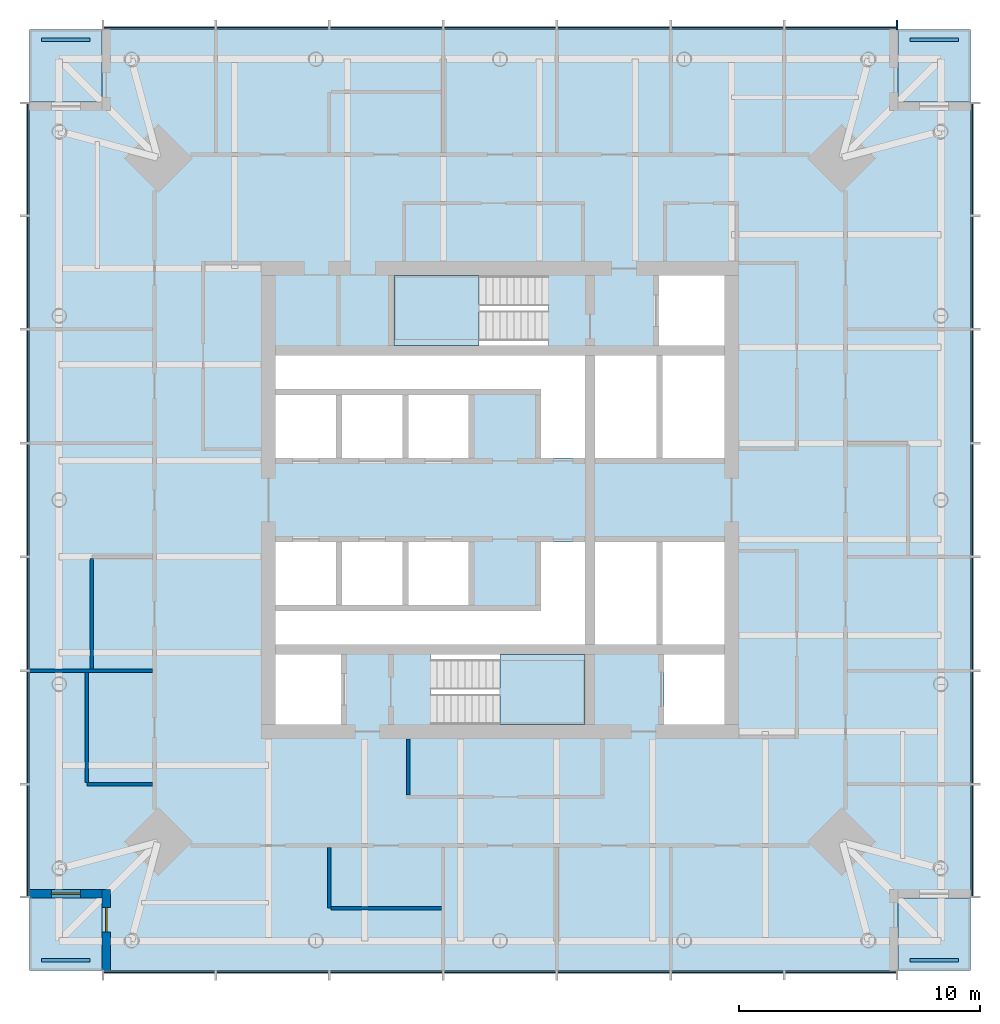
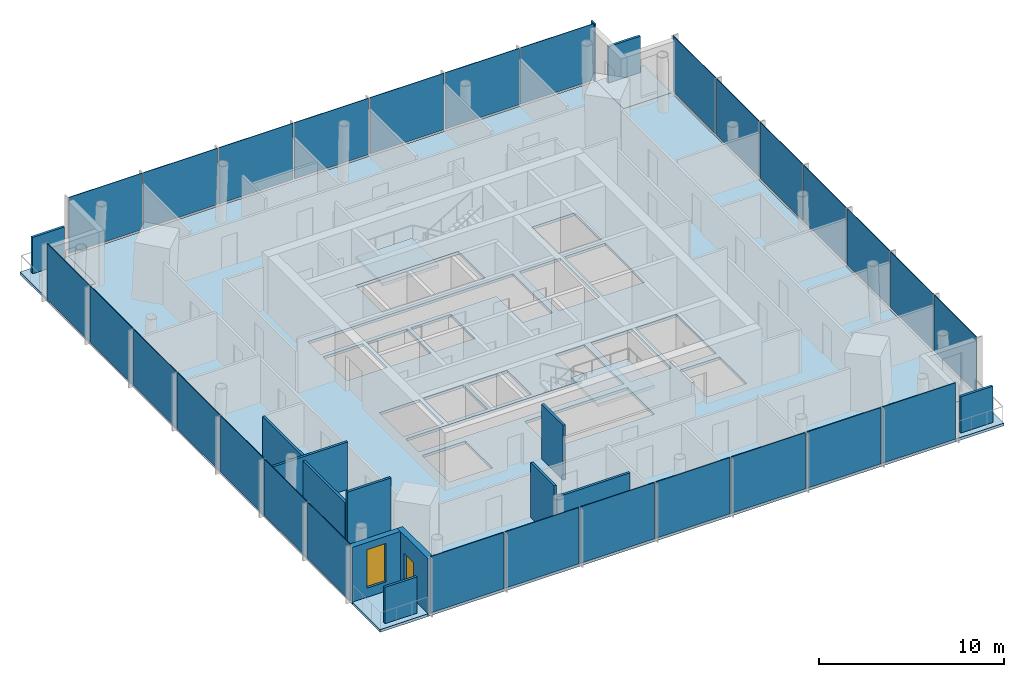
# One storey, part 3 of 7: 32 plates, 9 walls, 7 slabs, 1 door, 1 member, 1 window, 2 openings, 6 elements without a shape of their own.
"""IFC4 building model written with IfcOpenShell, lengths in metres."""

import ifcopenshell
import ifcopenshell.guid

model = None  # the IFC model being written
_history = None  # IfcOwnerHistory: only IFC2X3 demands one
_inside = {}  # id of a spatial element -> (the spatial element, [elements in it])
_under = {}  # id of a project, library or spatial element -> (it, [spatial elements below it])
_declared = {}  # id of a project -> (the project, [libraries it declares])
_typed = {}  # id of a type object -> (the type object, [elements of that type])
_made_of = {}  # id of a material, layer set ... -> (it, [elements and type objects made of it])


def new_model(schema):
    """Start an empty IFC model of exactly this schema.

    Asked for "IFC4X3", IfcOpenShell would pick the latest addendum, in which some entities
    have other attributes; the version numbers below select the first issue.
    IFC2X3 requires an IfcOwnerHistory on every rooted entity: one is made here for all.
    """
    global model, _history
    if schema == "IFC4X3":
        model = ifcopenshell.file(schema_version=(4, 3, 0, 0))
    else:
        model = ifcopenshell.file(schema=schema)
    _inside.clear()
    _under.clear()
    _declared.clear()
    _typed.clear()
    _made_of.clear()
    _history = None
    if model.schema == "IFC2X3":
        org = make("IfcOrganization", Name="unknown")
        user = make(
            "IfcPersonAndOrganization",
            ThePerson=make("IfcPerson", FamilyName="unknown"),
            TheOrganization=org,
        )
        app = make(
            "IfcApplication",
            ApplicationDeveloper=org,
            Version="unknown",
            ApplicationFullName="unknown",
            ApplicationIdentifier="unknown",
        )
        _history = make(
            "IfcOwnerHistory",
            OwningUser=user,
            OwningApplication=app,
            ChangeAction="ADDED",
            CreationDate=0,
        )
    return model


def make(cls, **values):
    """One entity of the class cls with the attributes given. An attribute that is None is left unset."""
    return model.create_entity(
        cls, **{name: value for name, value in values.items() if value is not None}
    )


def rooted(cls, **values):
    """An entity with a GlobalId (a new one), such as an element, a storey or a relation."""
    return make(cls, GlobalId=ifcopenshell.guid.new(), OwnerHistory=_history, **values)


def si_unit(unit_type, name, prefix=None):
    """IfcSIUnit, for example si_unit("LENGTHUNIT", "METRE", prefix="MILLI")."""
    return make("IfcSIUnit", UnitType=unit_type, Prefix=prefix, Name=name)


def assignment(units):
    """IfcUnitAssignment: the units of a project."""
    return None if units is None else make("IfcUnitAssignment", Units=units)


def point(xyz):
    """IfcCartesianPoint."""
    return None if xyz is None else make("IfcCartesianPoint", Coordinates=xyz)


def direction(xyz):
    """IfcDirection."""
    return None if xyz is None else make("IfcDirection", DirectionRatios=xyz)


def frame(location, z_axis=None, x_axis=None):
    """IfcAxis2Placement3D, a coordinate frame: its origin and axes. An axis left out is left unset."""
    return make(
        "IfcAxis2Placement3D",
        Location=point(location),
        Axis=direction(z_axis),
        RefDirection=direction(x_axis),
    )


def frame_2d(location, x_axis=None):
    """IfcAxis2Placement2D, a coordinate frame in the plane: its origin and x axis."""
    return make(
        "IfcAxis2Placement2D", Location=point(location), RefDirection=direction(x_axis)
    )


def origin():
    """The frame at (0, 0, 0) with its axes left unset."""
    return frame((0.0, 0.0, 0.0))


def origin_2d():
    """The frame at (0, 0) in the plane with its x axis left unset."""
    return frame_2d((0.0, 0.0))


def place(relative_to, where):
    """IfcLocalPlacement: puts the frame where relative to a parent placement (None: the world)."""
    return make(
        "IfcLocalPlacement", PlacementRelTo=relative_to, RelativePlacement=where
    )


def context(
    kind, dimensions, precision=None, world=None, true_north=None, identifier=None
):
    """IfcGeometricRepresentationContext, for example the 3D "Model" context."""
    return make(
        "IfcGeometricRepresentationContext",
        ContextIdentifier=identifier,
        ContextType=kind,
        CoordinateSpaceDimension=dimensions,
        Precision=precision,
        WorldCoordinateSystem=world,
        TrueNorth=true_north,
    )


def subcontext(parent, identifier, kind, view, scale=None):
    """IfcGeometricRepresentationSubContext, for example "Body" below "Model"."""
    return make(
        "IfcGeometricRepresentationSubContext",
        ContextIdentifier=identifier,
        ContextType=kind,
        ParentContext=parent,
        TargetScale=scale,
        TargetView=view,
    )


def project(units=None, contexts=None):
    """IfcProject with its units and contexts."""
    return rooted(
        "IfcProject",
        Name="project",
        RepresentationContexts=contexts,
        UnitsInContext=assignment(units),
    )


def spatial(cls, under=None, at=None, **own):
    """A site, building, storey or space (cls), placed at a placement, below another one or the project."""
    s = rooted(cls, ObjectPlacement=at, **own)
    if under is not None:
        _under.setdefault(under.id(), (under, []))[1].append(s)
    return s


def polyline(points):
    """IfcPolyline through the points."""
    return make("IfcPolyline", Points=[point(p) for p in points])


def profile(cls, at=None, kind="AREA", **sizes):
    """A parametric profile (cls). Its sizes go by their IFC names, for example OverallWidth=200.0."""
    return make(cls, ProfileType=kind, Position=at, **sizes)


def rectangle(**sizes):
    """IfcRectangleProfileDef."""
    return profile("IfcRectangleProfileDef", **sizes)


def outline(outer, holes=None, kind="AREA"):
    """IfcArbitraryClosedProfileDef: a profile drawn as a closed curve; with holes, ...WithVoids."""
    if holes is None:
        return make("IfcArbitraryClosedProfileDef", ProfileType=kind, OuterCurve=outer)
    return make(
        "IfcArbitraryProfileDefWithVoids",
        ProfileType=kind,
        OuterCurve=outer,
        InnerCurves=holes,
    )


def extrude(swept, where, along, depth):
    """IfcExtrudedAreaSolid: the profile swept, set in the frame where, extruded along a direction by depth."""
    return make(
        "IfcExtrudedAreaSolid",
        SweptArea=swept,
        Position=where,
        ExtrudedDirection=direction(along),
        Depth=depth,
    )


def shape(context_of_items, identifier, shape_type, items):
    """IfcShapeRepresentation: the items that make up one representation, for example the "Body"."""
    return make(
        "IfcShapeRepresentation",
        ContextOfItems=context_of_items,
        RepresentationIdentifier=identifier,
        RepresentationType=shape_type,
        Items=items,
    )


def material(Name=None, Category=None):
    """IfcMaterial."""
    return make("IfcMaterial", Name=Name, Category=Category)


def layer(
    of_material, thickness, ventilated=None, Name=None, Category=None, Priority=None
):
    """IfcMaterialLayer: one layer of a wall or slab, of a material (None: an air gap)."""
    return make(
        "IfcMaterialLayer",
        Material=of_material,
        LayerThickness=thickness,
        IsVentilated=ventilated,
        Name=Name,
        Category=Category,
        Priority=Priority,
    )


def layer_set(layers, Name=None):
    """IfcMaterialLayerSet."""
    return make("IfcMaterialLayerSet", MaterialLayers=layers, LayerSetName=Name)


def material_profile(
    of_material, cross_section, Name=None, Category=None, Priority=None
):
    """IfcMaterialProfile: a cross section and its material."""
    return make(
        "IfcMaterialProfile",
        Name=Name,
        Material=of_material,
        Profile=cross_section,
        Priority=Priority,
        Category=Category,
    )


def profile_set(profiles, Name=None, composite=None):
    """IfcMaterialProfileSet."""
    return make(
        "IfcMaterialProfileSet",
        Name=Name,
        MaterialProfiles=profiles,
        CompositeProfile=composite,
    )


def made_of(thing, what):
    """Note that an element or type object is made of a material, layer set ...; save() writes the relation."""
    if what is not None:
        _made_of.setdefault(what.id(), (what, []))[1].append(thing)
    return thing


def type_object(cls, material=None, **own):
    """A type object (cls), such as IfcWallType, which elements share."""
    return made_of(rooted(cls, **own), material)


def element(
    cls,
    number,
    at=None,
    inside=None,
    cuts=None,
    type_object=None,
    material=None,
    context=None,
    identifier="Body",
    shape_type=None,
    held_by="IfcProductDefinitionShape",
    body=None,
    shapes=None,
    **own,
):
    """One element of the class cls, such as IfcWall. Its Tag is "e" and its number.

    at: its placement. inside: the storey or other place that contains it. cuts: it is an
    opening in that element (IfcRelVoidsElement). A single representation is given by context,
    identifier, shape_type and body (its items); several are given by shapes. held_by: the class
    of the entity that holds the representations. save() writes the other relations.
    """
    e = rooted(cls, Tag="e%d" % number, ObjectPlacement=at, **own)
    if body is not None:
        shapes = [shape(context, identifier, shape_type, body)]
    if shapes is not None:
        e.Representation = make(held_by, Representations=shapes)
    if inside is not None:
        _inside.setdefault(inside.id(), (inside, []))[1].append(e)
    if cuts is not None:
        rooted(
            "IfcRelVoidsElement", RelatingBuildingElement=cuts, RelatedOpeningElement=e
        )
    if type_object is not None:
        _typed.setdefault(type_object.id(), (type_object, []))[1].append(e)
    return made_of(e, material)


def fill(opening, filler):
    """IfcRelFillsElement: the door or window that sits in an opening."""
    return rooted(
        "IfcRelFillsElement",
        RelatingOpeningElement=opening,
        RelatedBuildingElement=filler,
    )


def aggregate(whole, parts):
    """IfcRelAggregates: a whole, such as a stair, and the parts it consists of."""
    return rooted("IfcRelAggregates", RelatingObject=whole, RelatedObjects=parts)


def save(model, path):
    """Write the relations noted so far, then the file.

    IfcRelAggregates (storeys below a building ...), IfcRelContainedInSpatialStructure (elements
    in a storey), IfcRelDefinesByType, IfcRelAssociatesMaterial and IfcRelDeclares: one each for
    every whole, place, type object, material and project.
    """
    for whole, parts in _under.values():
        aggregate(whole, parts)
    for where, things in _inside.values():
        rooted(
            "IfcRelContainedInSpatialStructure",
            RelatedElements=things,
            RelatingStructure=where,
        )
    for kind, things in _typed.values():
        rooted("IfcRelDefinesByType", RelatedObjects=things, RelatingType=kind)
    for what, things in _made_of.values():
        rooted("IfcRelAssociatesMaterial", RelatedObjects=things, RelatingMaterial=what)
    for by, libraries in _declared.values():
        rooted("IfcRelDeclares", RelatingContext=by, RelatedDefinitions=libraries)
    model.write(path)


model = new_model("IFC4")

# Units and contexts
model_context = context("Model", 3, precision=1e-05, world=origin(), true_north=direction((0.0, 1.0)))
body_context = subcontext(model_context, "Body", "Model", "MODEL_VIEW")
ifc_project = project(units=[si_unit("LENGTHUNIT", "METRE"), si_unit("AREAUNIT", "SQUARE_METRE"), si_unit("VOLUMEUNIT", "CUBIC_METRE"), si_unit("PLANEANGLEUNIT", "RADIAN"), si_unit("MASSUNIT", "GRAM", prefix="KILO")], contexts=[model_context])

# Site, building, storey
site_placement = place(None, origin())
site = spatial("IfcSite", under=ifc_project, at=site_placement, CompositionType="ELEMENT")
building_placement = place(site_placement, origin())
building = spatial("IfcBuilding", under=site, at=building_placement, Name="Ostroluk Exchange", CompositionType="ELEMENT")
storey_placement = place(building_placement, frame((0.0, 0.0, 199.60009765625)))
storey = spatial("IfcBuildingStorey", under=building, at=storey_placement, Name="L51", CompositionType="ELEMENT", Elevation=199.60009765625)

# Curtain wall, member
ifc_material_1 = material(Name="Laminated clear glass", Category="glass")
curtain_wall_type = type_object("IfcCurtainWallType", Name="Office tower facade", PredefinedType="USERDEFINED", material=ifc_material_1)
curtain_wall_1_placement = place(storey_placement, origin())
curtain_wall_1 = element("IfcCurtainWall", 1, at=curtain_wall_1_placement, inside=storey, type_object=curtain_wall_type, Name="Office tower north facade L51", ObjectType="UNITISED CURTAIN WALL", PredefinedType="USERDEFINED")
ifc_material_2 = material(Name="Aluminium mullion with limestone facing", Category="masonry")
ifc_material_profile = material_profile(ifc_material_2, rectangle(XDim=0.39990234375, YDim=0.080078125, at=origin_2d()), Name="Tracery mullion 80 x 400")
ifc_profile_set = profile_set([ifc_material_profile], Name="Aluminium mullion with limestone facing")
member_type = type_object("IfcMemberType", Name="Tracery mullion 80 x 400", PredefinedType="MULLION", material=ifc_profile_set)
member_placement = place(storey_placement, frame((61.4599609375, 65.699951171875, 0.0), z_axis=(0.0, 0.0, 1.0), x_axis=(0.0, -1.0, 0.0)))
member = element("IfcMember", 2, at=member_placement, type_object=member_type, Name="CW-O1 mullion 1", PredefinedType="MULLION", context=body_context, shape_type="SweptSolid", body=[
    extrude(rectangle(XDim=0.39990234375, YDim=0.080078125, at=origin_2d()), origin(), (0.0, 0.0, 1.0), 3.7998046875),
])

# Slabs
ifc_material_3 = material(Name="Concrete C35/45", Category="concrete")
ifc_layer_1 = layer(ifc_material_3, 0.179931640625)
ifc_layer_set_1 = layer_set([ifc_layer_1], Name="Balcony slab 180")
slab_type_1 = type_object("IfcSlabType", Name="Balcony slab 180", PredefinedType="USERDEFINED", material=ifc_layer_set_1)
slab_1_placement = place(storey_placement, frame((0.0, 0.0, -0.18017578125)))
element("IfcSlab", 3, at=slab_1_placement, inside=storey, type_object=slab_type_1, Name="Office tower SE corner balcony L51", ObjectType="BALCONY", PredefinedType="USERDEFINED", context=body_context, shape_type="SweptSolid", body=[
    extrude(outline(polyline([(61.5, 26.5), (64.5, 26.5), (64.5, 29.5), (61.5, 29.5), (61.5, 26.5)])), origin(), (0.0, 0.0, 1.0), 0.18017578125),
])
slab_2_placement = place(storey_placement, frame((0.0, 0.0, -0.18017578125)))
element("IfcSlab", 4, at=slab_2_placement, inside=storey, type_object=slab_type_1, Name="Office tower NE corner balcony L51", ObjectType="BALCONY", PredefinedType="USERDEFINED", context=body_context, shape_type="SweptSolid", body=[
    extrude(outline(polyline([(61.5, 62.5), (64.5, 62.5), (64.5, 65.5), (61.5, 65.5), (61.5, 62.5)])), origin(), (0.0, 0.0, 1.0), 0.18017578125),
])
slab_3_placement = place(storey_placement, frame((0.0, 0.0, -0.18017578125)))
element("IfcSlab", 5, at=slab_3_placement, inside=storey, type_object=slab_type_1, Name="Office tower NW corner balcony L51", ObjectType="BALCONY", PredefinedType="USERDEFINED", context=body_context, shape_type="SweptSolid", body=[
    extrude(outline(polyline([(25.5, 62.5), (28.5, 62.5), (28.5, 65.5), (25.5, 65.5), (25.5, 62.5)])), origin(), (0.0, 0.0, 1.0), 0.18017578125),
])
slab_4_placement = place(storey_placement, frame((0.0, 0.0, -0.18017578125)))
element("IfcSlab", 6, at=slab_4_placement, inside=storey, type_object=slab_type_1, Name="Office tower SW corner balcony L51", ObjectType="BALCONY", PredefinedType="USERDEFINED", context=body_context, shape_type="SweptSolid", body=[
    extrude(outline(polyline([(25.5, 26.5), (28.5, 26.5), (28.5, 29.5), (25.5, 29.5), (25.5, 26.5)])), origin(), (0.0, 0.0, 1.0), 0.18017578125),
])

# Plates
ifc_material_4 = material(Name="Steel S355 trellis with planting", Category="steel")
ifc_layer_2 = layer(ifc_material_4, 0.14990234375)
ifc_layer_set_2 = layer_set([ifc_layer_2], Name="Planted screen 150")
plate_type_1 = type_object("IfcPlateType", Name="Planted screen 150", PredefinedType="USERDEFINED", material=ifc_layer_set_2)
for number, where, z_axis, x_axis, name in (
    (7, (63.0, 26.925048828125, 0.0), (0.0, 0.0, 1.0), (1.0, 0.0, 0.0), "Office tower SE planted screen L51"),
    (8, (63.0, 65.074951171875, 0.0), (0.0, 0.0, 1.0), (1.0, 0.0, 0.0), "Office tower NE planted screen L51"),
    (9, (27.0, 65.074951171875, 0.0), (0.0, 0.0, 1.0), (1.0, 0.0, 0.0), "Office tower NW planted screen L51"),
    (10, (27.0, 26.925048828125, 0.0), (0.0, 0.0, 1.0), (1.0, 0.0, 0.0), "Office tower SW planted screen L51"),
):
    element("IfcPlate", number, at=place(storey_placement, frame(where, z_axis=z_axis, x_axis=x_axis)), inside=storey, type_object=plate_type_1, Name=name, ObjectType="PLANTED SCREEN", PredefinedType="USERDEFINED", context=body_context, shape_type="SweptSolid", body=[
        extrude(rectangle(XDim=2.0, YDim=0.14990234375, at=origin_2d()), origin(), (0.0, 0.0, 1.0), 2.39990234375),
    ])

# Stair, slab
ifc_material_5 = material(Name="Concrete C30/37", Category="concrete")
stair_type = type_object("IfcStairType", Name="Exit stair half turn 3800", PredefinedType="HALF_TURN_STAIR", material=ifc_material_5)
stair_1_placement = place(storey_placement, origin())
stair_1 = element("IfcStair", 11, at=stair_1_placement, inside=storey, type_object=stair_type, Name="Stair T1-S1 L51", PredefinedType="HALF_TURN_STAIR")
ifc_material_6 = material(Name="Concrete C30/37", Category="concrete")
ifc_layer_3 = layer(ifc_material_6, 0.199951171875)
ifc_layer_set_3 = layer_set([ifc_layer_3], Name="Stair landing 200")
slab_type_2 = type_object("IfcSlabType", Name="Stair landing 200", PredefinedType="LANDING", material=ifc_layer_set_3)
slab_5_placement = place(storey_placement, frame((0.0, 0.0, 1.699951171875)))
slab_5 = element("IfcSlab", 12, at=slab_5_placement, type_object=slab_type_2, Name="T1-S1 landing 1", PredefinedType="LANDING", context=body_context, shape_type="SweptSolid", body=[
    extrude(outline(polyline([(45.0, 36.699951171875), (45.0, 39.60009765625), (48.530029296875, 39.60009765625), (48.530029296875, 36.699951171875), (45.0, 36.699951171875)])), origin(), (0.0, 0.0, 1.0), 0.199951171875),
])
aggregate(stair_1, [slab_5])

stair_2_placement = place(storey_placement, origin())
stair_2 = element("IfcStair", 13, at=stair_2_placement, inside=storey, type_object=stair_type, Name="Stair T1-S2 L51", PredefinedType="HALF_TURN_STAIR")
slab_6_placement = place(storey_placement, frame((0.0, 0.0, 1.699951171875)))
slab_6 = element("IfcSlab", 14, at=slab_6_placement, type_object=slab_type_2, Name="T1-S2 landing 1", PredefinedType="LANDING", context=body_context, shape_type="SweptSolid", body=[
    extrude(outline(polyline([(44.1298828125, 52.39990234375), (44.1298828125, 55.300048828125), (40.60009765625, 55.300048828125), (40.60009765625, 52.39990234375), (44.1298828125, 52.39990234375)])), origin(), (0.0, 0.0, 1.0), 0.199951171875),
])
aggregate(stair_2, [slab_6])

# Slab
ifc_material_7 = material(Name="Concrete C35/45", Category="concrete")
ifc_layer_4 = layer(ifc_material_7, 0.179931640625)
ifc_layer_set_4 = layer_set([ifc_layer_4], Name="Tower floor slab 180 composite")
slab_type_3 = type_object("IfcSlabType", Name="Tower floor slab 180 composite", PredefinedType="FLOOR", material=ifc_layer_set_4)
slab_7_placement = place(storey_placement, frame((0.0, 0.0, -0.18017578125)))
element("IfcSlab", 15, at=slab_7_placement, inside=storey, type_object=slab_type_3, Name="Office tower floor slab L51", PredefinedType="FLOOR", context=body_context, shape_type="SweptSolid", body=[
    extrude(outline(polyline([(28.5, 26.5), (61.5, 26.5), (61.5, 29.5), (64.5, 29.5), (64.5, 62.5), (61.5, 62.5), (61.5, 65.5), (28.5, 65.5), (28.5, 62.5), (25.5, 62.5), (25.5, 29.5), (28.5, 29.5), (28.5, 26.5)]), holes=[polyline([(35.699951171875, 36.699951171875), (38.39990234375, 36.699951171875), (38.39990234375, 39.60009765625), (35.699951171875, 39.60009765625), (35.699951171875, 36.699951171875)]), polyline([(42.110107421875, 36.699951171875), (48.530029296875, 36.699951171875), (48.530029296875, 39.60009765625), (42.110107421875, 39.60009765625), (42.110107421875, 36.699951171875)]), polyline([(51.800048828125, 36.699951171875), (54.300048828125, 36.699951171875), (54.300048828125, 39.60009765625), (51.800048828125, 39.60009765625), (51.800048828125, 36.699951171875)]), polyline([(40.60009765625, 52.39990234375), (47.02001953125, 52.39990234375), (47.02001953125, 55.300048828125), (40.60009765625, 55.300048828125), (40.60009765625, 52.39990234375)]), polyline([(51.60009765625, 52.39990234375), (54.300048828125, 52.39990234375), (54.300048828125, 55.300048828125), (51.60009765625, 55.300048828125), (51.60009765625, 52.39990234375)]), polyline([(35.699951171875, 47.75), (38.199951171875, 47.75), (38.199951171875, 50.35009765625), (35.699951171875, 50.35009765625), (35.699951171875, 47.75)]), polyline([(38.449951171875, 47.75), (40.949951171875, 47.75), (40.949951171875, 50.35009765625), (38.449951171875, 50.35009765625), (38.449951171875, 47.75)]), polyline([(41.199951171875, 47.75), (43.699951171875, 47.75), (43.699951171875, 50.35009765625), (41.199951171875, 50.35009765625), (41.199951171875, 47.75)]), polyline([(35.699951171875, 41.64990234375), (38.199951171875, 41.64990234375), (38.199951171875, 44.25), (35.699951171875, 44.25), (35.699951171875, 41.64990234375)]), polyline([(38.449951171875, 41.64990234375), (40.949951171875, 41.64990234375), (40.949951171875, 44.25), (38.449951171875, 44.25), (38.449951171875, 41.64990234375)]), polyline([(41.199951171875, 41.64990234375), (43.699951171875, 41.64990234375), (43.699951171875, 44.25), (41.199951171875, 44.25), (41.199951171875, 41.64990234375)]), polyline([(48.929931640625, 47.75), (51.489990234375, 47.75), (51.489990234375, 52.0), (48.929931640625, 52.0), (48.929931640625, 47.75)]), polyline([(51.739990234375, 47.75), (54.300048828125, 47.75), (54.300048828125, 52.0), (51.739990234375, 52.0), (51.739990234375, 47.75)]), polyline([(48.929931640625, 40.0), (51.489990234375, 40.0), (51.489990234375, 44.25), (48.929931640625, 44.25), (48.929931640625, 40.0)]), polyline([(51.739990234375, 40.0), (54.300048828125, 40.0), (54.300048828125, 44.25), (51.739990234375, 44.25), (51.739990234375, 40.0)]), polyline([(48.530029296875, 52.0), (48.530029296875, 47.75), (46.699951171875, 47.75), (46.699951171875, 50.60009765625), (35.699951171875, 50.60009765625), (35.699951171875, 52.0), (48.530029296875, 52.0)]), polyline([(35.699951171875, 40.0), (35.699951171875, 41.39990234375), (46.699951171875, 41.39990234375), (46.699951171875, 44.25), (48.530029296875, 44.25), (48.530029296875, 40.0), (35.699951171875, 40.0)])]), origin(), (0.0, 0.0, 1.0), 0.18017578125),
])

# Curtain wall, plates
curtain_wall_2_placement = place(storey_placement, origin())
curtain_wall_2 = element("IfcCurtainWall", 16, at=curtain_wall_2_placement, inside=storey, type_object=curtain_wall_type, Name="Office tower south facade L51", ObjectType="UNITISED CURTAIN WALL", PredefinedType="USERDEFINED")
ifc_material_8 = material(Name="Laminated clear glass", Category="glass")
ifc_layer_5 = layer(ifc_material_8, 0.0439453125)
ifc_layer_set_5 = layer_set([ifc_layer_5], Name="Triple laminated clear glazing 44")
plate_type_2 = type_object("IfcPlateType", Name="Triple laminated clear glazing 44", PredefinedType="CURTAIN_PANEL", material=ifc_layer_set_5)
plate_1_placement = place(storey_placement, frame((30.877197265625, 26.425048828125, 0.080078125), z_axis=(0.0, 0.0, 1.0), x_axis=(1.0, 0.0, 0.0)))
plate_1 = element("IfcPlate", 17, at=plate_1_placement, type_object=plate_type_2, Name="CW-O1 panel 1.1", PredefinedType="CURTAIN_PANEL", context=body_context, shape_type="SweptSolid", body=[
    extrude(rectangle(XDim=4.59423828125, YDim=0.0439453125, at=origin_2d()), origin(), (0.0, 0.0, 1.0), 3.719970703125),
])
plate_2_placement = place(storey_placement, frame((35.571533203125, 26.425048828125, 0.080078125), z_axis=(0.0, 0.0, 1.0), x_axis=(1.0, 0.0, 0.0)))
plate_2 = element("IfcPlate", 18, at=plate_2_placement, type_object=plate_type_2, Name="CW-O1 panel 2.1", PredefinedType="CURTAIN_PANEL", context=body_context, shape_type="SweptSolid", body=[
    extrude(rectangle(XDim=4.63427734375, YDim=0.0439453125, at=origin_2d()), origin(), (0.0, 0.0, 1.0), 3.719970703125),
])
plate_3_placement = place(storey_placement, frame((40.28564453125, 26.425048828125, 0.080078125), z_axis=(0.0, 0.0, 1.0), x_axis=(1.0, 0.0, 0.0)))
plate_3 = element("IfcPlate", 19, at=plate_3_placement, type_object=plate_type_2, Name="CW-O1 panel 3.1", PredefinedType="CURTAIN_PANEL", context=body_context, shape_type="SweptSolid", body=[
    extrude(rectangle(XDim=4.63427734375, YDim=0.0439453125, at=origin_2d()), origin(), (0.0, 0.0, 1.0), 3.719970703125),
])
plate_4_placement = place(storey_placement, frame((45.0, 26.425048828125, 0.080078125), z_axis=(0.0, 0.0, 1.0), x_axis=(1.0, 0.0, 0.0)))
plate_4 = element("IfcPlate", 20, at=plate_4_placement, type_object=plate_type_2, Name="CW-O1 panel 4.1", PredefinedType="CURTAIN_PANEL", context=body_context, shape_type="SweptSolid", body=[
    extrude(rectangle(XDim=4.63427734375, YDim=0.0439453125, at=origin_2d()), origin(), (0.0, 0.0, 1.0), 3.719970703125),
])
plate_5_placement = place(storey_placement, frame((49.71435546875, 26.425048828125, 0.080078125), z_axis=(0.0, 0.0, 1.0), x_axis=(1.0, 0.0, 0.0)))
plate_5 = element("IfcPlate", 21, at=plate_5_placement, type_object=plate_type_2, Name="CW-O1 panel 5.1", PredefinedType="CURTAIN_PANEL", context=body_context, shape_type="SweptSolid", body=[
    extrude(rectangle(XDim=4.63427734375, YDim=0.0439453125, at=origin_2d()), origin(), (0.0, 0.0, 1.0), 3.719970703125),
])
plate_6_placement = place(storey_placement, frame((54.428466796875, 26.425048828125, 0.080078125), z_axis=(0.0, 0.0, 1.0), x_axis=(1.0, 0.0, 0.0)))
plate_6 = element("IfcPlate", 22, at=plate_6_placement, type_object=plate_type_2, Name="CW-O1 panel 6.1", PredefinedType="CURTAIN_PANEL", context=body_context, shape_type="SweptSolid", body=[
    extrude(rectangle(XDim=4.63427734375, YDim=0.0439453125, at=origin_2d()), origin(), (0.0, 0.0, 1.0), 3.719970703125),
])
plate_7_placement = place(storey_placement, frame((59.122802734375, 26.425048828125, 0.080078125), z_axis=(0.0, 0.0, 1.0), x_axis=(1.0, 0.0, 0.0)))
plate_7 = element("IfcPlate", 23, at=plate_7_placement, type_object=plate_type_2, Name="CW-O1 panel 7.1", PredefinedType="CURTAIN_PANEL", context=body_context, shape_type="SweptSolid", body=[
    extrude(rectangle(XDim=4.59423828125, YDim=0.0439453125, at=origin_2d()), origin(), (0.0, 0.0, 1.0), 3.719970703125),
])
aggregate(curtain_wall_2, [plate_1, plate_2, plate_3, plate_4, plate_5, plate_6, plate_7])

curtain_wall_3_placement = place(storey_placement, origin())
curtain_wall_3 = element("IfcCurtainWall", 24, at=curtain_wall_3_placement, inside=storey, type_object=curtain_wall_type, Name="Office tower east facade L51", ObjectType="UNITISED CURTAIN WALL", PredefinedType="USERDEFINED")
plate_8_placement = place(storey_placement, frame((64.574951171875, 31.877197265625, 0.080078125), z_axis=(0.0, 0.0, 1.0), x_axis=(0.0, 1.0, 0.0)))
plate_8 = element("IfcPlate", 25, at=plate_8_placement, type_object=plate_type_2, Name="CW-O1 panel 1.1", PredefinedType="CURTAIN_PANEL", context=body_context, shape_type="SweptSolid", body=[
    extrude(rectangle(XDim=4.59423828125, YDim=0.0439453125, at=origin_2d()), origin(), (0.0, 0.0, 1.0), 3.719970703125),
])
plate_9_placement = place(storey_placement, frame((64.574951171875, 36.571533203125, 0.080078125), z_axis=(0.0, 0.0, 1.0), x_axis=(0.0, 1.0, 0.0)))
plate_9 = element("IfcPlate", 26, at=plate_9_placement, type_object=plate_type_2, Name="CW-O1 panel 2.1", PredefinedType="CURTAIN_PANEL", context=body_context, shape_type="SweptSolid", body=[
    extrude(rectangle(XDim=4.63427734375, YDim=0.0439453125, at=origin_2d()), origin(), (0.0, 0.0, 1.0), 3.719970703125),
])
plate_10_placement = place(storey_placement, frame((64.574951171875, 41.28564453125, 0.080078125), z_axis=(0.0, 0.0, 1.0), x_axis=(0.0, 1.0, 0.0)))
plate_10 = element("IfcPlate", 27, at=plate_10_placement, type_object=plate_type_2, Name="CW-O1 panel 3.1", PredefinedType="CURTAIN_PANEL", context=body_context, shape_type="SweptSolid", body=[
    extrude(rectangle(XDim=4.63427734375, YDim=0.0439453125, at=origin_2d()), origin(), (0.0, 0.0, 1.0), 3.719970703125),
])
plate_11_placement = place(storey_placement, frame((64.574951171875, 46.0, 0.080078125), z_axis=(0.0, 0.0, 1.0), x_axis=(0.0, 1.0, 0.0)))
plate_11 = element("IfcPlate", 28, at=plate_11_placement, type_object=plate_type_2, Name="CW-O1 panel 4.1", PredefinedType="CURTAIN_PANEL", context=body_context, shape_type="SweptSolid", body=[
    extrude(rectangle(XDim=4.63427734375, YDim=0.0439453125, at=origin_2d()), origin(), (0.0, 0.0, 1.0), 3.719970703125),
])
plate_12_placement = place(storey_placement, frame((64.574951171875, 50.71435546875, 0.080078125), z_axis=(0.0, 0.0, 1.0), x_axis=(0.0, 1.0, 0.0)))
plate_12 = element("IfcPlate", 29, at=plate_12_placement, type_object=plate_type_2, Name="CW-O1 panel 5.1", PredefinedType="CURTAIN_PANEL", context=body_context, shape_type="SweptSolid", body=[
    extrude(rectangle(XDim=4.63427734375, YDim=0.0439453125, at=origin_2d()), origin(), (0.0, 0.0, 1.0), 3.719970703125),
])
plate_13_placement = place(storey_placement, frame((64.574951171875, 55.428466796875, 0.080078125), z_axis=(0.0, 0.0, 1.0), x_axis=(0.0, 1.0, 0.0)))
plate_13 = element("IfcPlate", 30, at=plate_13_placement, type_object=plate_type_2, Name="CW-O1 panel 6.1", PredefinedType="CURTAIN_PANEL", context=body_context, shape_type="SweptSolid", body=[
    extrude(rectangle(XDim=4.63427734375, YDim=0.0439453125, at=origin_2d()), origin(), (0.0, 0.0, 1.0), 3.719970703125),
])
plate_14_placement = place(storey_placement, frame((64.574951171875, 60.122802734375, 0.080078125), z_axis=(0.0, 0.0, 1.0), x_axis=(0.0, 1.0, 0.0)))
plate_14 = element("IfcPlate", 31, at=plate_14_placement, type_object=plate_type_2, Name="CW-O1 panel 7.1", PredefinedType="CURTAIN_PANEL", context=body_context, shape_type="SweptSolid", body=[
    extrude(rectangle(XDim=4.59423828125, YDim=0.0439453125, at=origin_2d()), origin(), (0.0, 0.0, 1.0), 3.719970703125),
])
aggregate(curtain_wall_3, [plate_8, plate_9, plate_10, plate_11, plate_12, plate_13, plate_14])

# Plate
plate_15_placement = place(storey_placement, frame((59.122802734375, 65.574951171875, 0.080078125), z_axis=(0.0, 0.0, 1.0), x_axis=(-1.0, 0.0, 0.0)))
plate_15 = element("IfcPlate", 32, at=plate_15_placement, type_object=plate_type_2, Name="CW-O1 panel 1.1", PredefinedType="CURTAIN_PANEL", context=body_context, shape_type="SweptSolid", body=[
    extrude(rectangle(XDim=4.59423828125, YDim=0.0439453125, at=origin_2d()), origin(), (0.0, 0.0, 1.0), 3.719970703125),
])

plate_16_placement = place(storey_placement, frame((54.428466796875, 65.574951171875, 0.080078125), z_axis=(0.0, 0.0, 1.0), x_axis=(-1.0, 0.0, 0.0)))
plate_16 = element("IfcPlate", 33, at=plate_16_placement, type_object=plate_type_2, Name="CW-O1 panel 2.1", PredefinedType="CURTAIN_PANEL", context=body_context, shape_type="SweptSolid", body=[
    extrude(rectangle(XDim=4.63427734375, YDim=0.0439453125, at=origin_2d()), origin(), (0.0, 0.0, 1.0), 3.719970703125),
])

plate_17_placement = place(storey_placement, frame((49.71435546875, 65.574951171875, 0.080078125), z_axis=(0.0, 0.0, 1.0), x_axis=(-1.0, 0.0, 0.0)))
plate_17 = element("IfcPlate", 34, at=plate_17_placement, type_object=plate_type_2, Name="CW-O1 panel 3.1", PredefinedType="CURTAIN_PANEL", context=body_context, shape_type="SweptSolid", body=[
    extrude(rectangle(XDim=4.63427734375, YDim=0.0439453125, at=origin_2d()), origin(), (0.0, 0.0, 1.0), 3.719970703125),
])

plate_18_placement = place(storey_placement, frame((45.0, 65.574951171875, 0.080078125), z_axis=(0.0, 0.0, 1.0), x_axis=(-1.0, 0.0, 0.0)))
plate_18 = element("IfcPlate", 35, at=plate_18_placement, type_object=plate_type_2, Name="CW-O1 panel 4.1", PredefinedType="CURTAIN_PANEL", context=body_context, shape_type="SweptSolid", body=[
    extrude(rectangle(XDim=4.63427734375, YDim=0.0439453125, at=origin_2d()), origin(), (0.0, 0.0, 1.0), 3.719970703125),
])

plate_19_placement = place(storey_placement, frame((40.28564453125, 65.574951171875, 0.080078125), z_axis=(0.0, 0.0, 1.0), x_axis=(-1.0, 0.0, 0.0)))
plate_19 = element("IfcPlate", 36, at=plate_19_placement, type_object=plate_type_2, Name="CW-O1 panel 5.1", PredefinedType="CURTAIN_PANEL", context=body_context, shape_type="SweptSolid", body=[
    extrude(rectangle(XDim=4.63427734375, YDim=0.0439453125, at=origin_2d()), origin(), (0.0, 0.0, 1.0), 3.719970703125),
])

plate_20_placement = place(storey_placement, frame((35.571533203125, 65.574951171875, 0.080078125), z_axis=(0.0, 0.0, 1.0), x_axis=(-1.0, 0.0, 0.0)))
plate_20 = element("IfcPlate", 37, at=plate_20_placement, type_object=plate_type_2, Name="CW-O1 panel 6.1", PredefinedType="CURTAIN_PANEL", context=body_context, shape_type="SweptSolid", body=[
    extrude(rectangle(XDim=4.63427734375, YDim=0.0439453125, at=origin_2d()), origin(), (0.0, 0.0, 1.0), 3.719970703125),
])

plate_21_placement = place(storey_placement, frame((30.877197265625, 65.574951171875, 0.080078125), z_axis=(0.0, 0.0, 1.0), x_axis=(-1.0, 0.0, 0.0)))
plate_21 = element("IfcPlate", 38, at=plate_21_placement, type_object=plate_type_2, Name="CW-O1 panel 7.1", PredefinedType="CURTAIN_PANEL", context=body_context, shape_type="SweptSolid", body=[
    extrude(rectangle(XDim=4.59423828125, YDim=0.0439453125, at=origin_2d()), origin(), (0.0, 0.0, 1.0), 3.719970703125),
])

aggregate(curtain_wall_1, [member, plate_15, plate_16, plate_17, plate_18, plate_19, plate_20, plate_21])

# Curtain wall, plates
curtain_wall_4_placement = place(storey_placement, origin())
curtain_wall_4 = element("IfcCurtainWall", 39, at=curtain_wall_4_placement, inside=storey, type_object=curtain_wall_type, Name="Office tower west facade L51", ObjectType="UNITISED CURTAIN WALL", PredefinedType="USERDEFINED")
plate_22_placement = place(storey_placement, frame((25.425048828125, 60.122802734375, 0.080078125), z_axis=(0.0, 0.0, 1.0), x_axis=(0.0, -1.0, 0.0)))
plate_22 = element("IfcPlate", 40, at=plate_22_placement, type_object=plate_type_2, Name="CW-O1 panel 1.1", PredefinedType="CURTAIN_PANEL", context=body_context, shape_type="SweptSolid", body=[
    extrude(rectangle(XDim=4.59423828125, YDim=0.0439453125, at=origin_2d()), origin(), (0.0, 0.0, 1.0), 3.719970703125),
])
plate_23_placement = place(storey_placement, frame((25.425048828125, 55.428466796875, 0.080078125), z_axis=(0.0, 0.0, 1.0), x_axis=(0.0, -1.0, 0.0)))
plate_23 = element("IfcPlate", 41, at=plate_23_placement, type_object=plate_type_2, Name="CW-O1 panel 2.1", PredefinedType="CURTAIN_PANEL", context=body_context, shape_type="SweptSolid", body=[
    extrude(rectangle(XDim=4.63427734375, YDim=0.0439453125, at=origin_2d()), origin(), (0.0, 0.0, 1.0), 3.719970703125),
])
plate_24_placement = place(storey_placement, frame((25.425048828125, 50.71435546875, 0.080078125), z_axis=(0.0, 0.0, 1.0), x_axis=(0.0, -1.0, 0.0)))
plate_24 = element("IfcPlate", 42, at=plate_24_placement, type_object=plate_type_2, Name="CW-O1 panel 3.1", PredefinedType="CURTAIN_PANEL", context=body_context, shape_type="SweptSolid", body=[
    extrude(rectangle(XDim=4.63427734375, YDim=0.0439453125, at=origin_2d()), origin(), (0.0, 0.0, 1.0), 3.719970703125),
])
plate_25_placement = place(storey_placement, frame((25.425048828125, 46.0, 0.080078125), z_axis=(0.0, 0.0, 1.0), x_axis=(0.0, -1.0, 0.0)))
plate_25 = element("IfcPlate", 43, at=plate_25_placement, type_object=plate_type_2, Name="CW-O1 panel 4.1", PredefinedType="CURTAIN_PANEL", context=body_context, shape_type="SweptSolid", body=[
    extrude(rectangle(XDim=4.63427734375, YDim=0.0439453125, at=origin_2d()), origin(), (0.0, 0.0, 1.0), 3.719970703125),
])
plate_26_placement = place(storey_placement, frame((25.425048828125, 41.28564453125, 0.080078125), z_axis=(0.0, 0.0, 1.0), x_axis=(0.0, -1.0, 0.0)))
plate_26 = element("IfcPlate", 44, at=plate_26_placement, type_object=plate_type_2, Name="CW-O1 panel 5.1", PredefinedType="CURTAIN_PANEL", context=body_context, shape_type="SweptSolid", body=[
    extrude(rectangle(XDim=4.63427734375, YDim=0.0439453125, at=origin_2d()), origin(), (0.0, 0.0, 1.0), 3.719970703125),
])
plate_27_placement = place(storey_placement, frame((25.425048828125, 36.571533203125, 0.080078125), z_axis=(0.0, 0.0, 1.0), x_axis=(0.0, -1.0, 0.0)))
plate_27 = element("IfcPlate", 45, at=plate_27_placement, type_object=plate_type_2, Name="CW-O1 panel 6.1", PredefinedType="CURTAIN_PANEL", context=body_context, shape_type="SweptSolid", body=[
    extrude(rectangle(XDim=4.63427734375, YDim=0.0439453125, at=origin_2d()), origin(), (0.0, 0.0, 1.0), 3.719970703125),
])
plate_28_placement = place(storey_placement, frame((25.425048828125, 31.877197265625, 0.080078125), z_axis=(0.0, 0.0, 1.0), x_axis=(0.0, -1.0, 0.0)))
plate_28 = element("IfcPlate", 46, at=plate_28_placement, type_object=plate_type_2, Name="CW-O1 panel 7.1", PredefinedType="CURTAIN_PANEL", context=body_context, shape_type="SweptSolid", body=[
    extrude(rectangle(XDim=4.59423828125, YDim=0.0439453125, at=origin_2d()), origin(), (0.0, 0.0, 1.0), 3.719970703125),
])
aggregate(curtain_wall_4, [plate_22, plate_23, plate_24, plate_25, plate_26, plate_27, plate_28])

# Wall, opening, door
ifc_material_9 = material(Name="Limestone", Category="masonry")
ifc_layer_6 = layer(ifc_material_9, 0.35009765625)
ifc_layer_set_6 = layer_set([ifc_layer_6], Name="Limestone facade wall 350")
wall_type_1 = type_object("IfcWallType", Name="Limestone facade wall 350", PredefinedType="SOLIDWALL", material=ifc_layer_set_6)
wall_1_placement = place(storey_placement, frame((28.675048828125, 26.5, 0.0), z_axis=(0.0, 0.0, 1.0), x_axis=(0.0, 1.0, 0.0)))
wall_1 = element("IfcWall", 47, at=wall_1_placement, inside=storey, type_object=wall_type_1, Name="Office tower SW corner wall L51 a", PredefinedType="SOLIDWALL", context=body_context, shape_type="SweptSolid", body=[
    extrude(rectangle(XDim=3.35009765625, YDim=0.35009765625, at=frame_2d((1.675048828125, 0.0))), origin(), (0.0, 0.0, 1.0), 3.619873046875),
])
opening_1_placement = place(wall_1_placement, frame((1.60009765625, 0.0, 0.0)))
opening_1 = element("IfcOpeningElement", 48, at=opening_1_placement, cuts=wall_1, Name="Opening D-B1", PredefinedType="OPENING", context=body_context, shape_type="SweptSolid", body=[
    extrude(rectangle(XDim=1.0, YDim=2.39990234375, at=frame_2d((0.5, 1.199951171875))), frame((0.0, 0.18505859375, 0.0), z_axis=(0.0, -1.0, 0.0), x_axis=(1.0, 0.0, 0.0)), (0.0, 0.0, 1.0), 0.3701171875),
])
ifc_material_10 = material(Name="Bronze framed glazed door", Category="aluminium")
door_type = type_object("IfcDoorType", Name="Balcony door 1000 x 2400", OperationType="SINGLE_SWING_LEFT", PredefinedType="DOOR", material=ifc_material_10)
door_placement = place(opening_1_placement, origin())
door = element("IfcDoor", 49, at=door_placement, inside=storey, type_object=door_type, Name="Office tower SW balcony door L51", OperationType="SINGLE_SWING_RIGHT", OverallHeight=2.39990234375, OverallWidth=1.0, PredefinedType="DOOR", context=body_context, shape_type="SweptSolid", body=[
    extrude(rectangle(XDim=1.0, YDim=2.39990234375, at=frame_2d((0.5, 1.199951171875))), frame((0.0, 0.02490234375, 0.0), z_axis=(0.0, -1.0, 0.0), x_axis=(1.0, 0.0, 0.0)), (0.0, 0.0, 1.0), 0.050048828125),
])
fill(opening_1, door)

# Wall, opening, window
wall_2_placement = place(storey_placement, frame((28.5, 29.675048828125, 0.0), z_axis=(0.0, 0.0, 1.0), x_axis=(-1.0, 0.0, 0.0)))
wall_2 = element("IfcWall", 50, at=wall_2_placement, inside=storey, type_object=wall_type_1, Name="Office tower SW corner wall L51 b", PredefinedType="SOLIDWALL", context=body_context, shape_type="SweptSolid", body=[
    extrude(rectangle(XDim=3.0, YDim=0.35009765625, at=frame_2d((1.5, 0.0))), origin(), (0.0, 0.0, 1.0), 3.619873046875),
])
opening_2_placement = place(wall_2_placement, frame((0.89990234375, 0.0, 0.60009765625)))
opening_2 = element("IfcOpeningElement", 51, at=opening_2_placement, cuts=wall_2, Name="Opening WN-L1", PredefinedType="OPENING", context=body_context, shape_type="SweptSolid", body=[
    extrude(rectangle(XDim=1.199951171875, YDim=2.550048828125, at=frame_2d((0.60009765625, 1.27490234375))), frame((0.0, 0.18505859375, 0.0), z_axis=(0.0, -1.0, 0.0), x_axis=(1.0, 0.0, 0.0)), (0.0, 0.0, 1.0), 0.3701171875),
])
ifc_material_11 = material(Name="Laminated clear glass", Category="glass")
window_type = type_object("IfcWindowType", Name="Lancet window 1200 x 2550", PartitioningType="SINGLE_PANEL", PredefinedType="WINDOW", material=ifc_material_11)
window_placement = place(opening_2_placement, origin())
window = element("IfcWindow", 52, at=window_placement, inside=storey, type_object=window_type, Name="Office tower SW lancet window L51", OverallHeight=2.550048828125, OverallWidth=1.199951171875, PartitioningType="SINGLE_PANEL", PredefinedType="WINDOW", context=body_context, shape_type="SweptSolid", body=[
    extrude(rectangle(XDim=1.199951171875, YDim=2.550048828125, at=frame_2d((0.60009765625, 1.27490234375))), frame((0.0, 0.030029296875, 0.0), z_axis=(0.0, -1.0, 0.0), x_axis=(1.0, 0.0, 0.0)), (0.0, 0.0, 1.0), 0.06005859375),
])
fill(opening_2, window)

# Walls
ifc_material_12 = material(Name="Gypsum plasterboard partition", Category="gypsum")
ifc_layer_7 = layer(ifc_material_12, 0.14990234375)
ifc_layer_set_7 = layer_set([ifc_layer_7], Name="Plasterboard partition 150")
wall_type_2 = type_object("IfcWallType", Name="Plasterboard partition 150", PredefinedType="PARTITIONING", material=ifc_layer_set_7)
wall_3_placement = place(storey_placement, frame((41.199951171875, 36.10009765625, 0.0), z_axis=(0.0, 0.0, 1.0), x_axis=(0.0, -1.0, 0.0)))
element("IfcWall", 53, at=wall_3_placement, inside=storey, type_object=wall_type_2, Name="Partition", PredefinedType="PARTITIONING", context=body_context, shape_type="SweptSolid", body=[
    extrude(rectangle(XDim=2.3251953125, YDim=0.14990234375, at=frame_2d((1.16259765625, 0.0))), origin(), (0.0, 0.0, 1.0), 3.619873046875),
])
wall_4_placement = place(storey_placement, frame((30.60009765625, 38.928466796875, 0.0), z_axis=(0.0, 0.0, 1.0), x_axis=(-1.0, 0.0, 0.0)))
element("IfcWall", 54, at=wall_4_placement, inside=storey, type_object=wall_type_2, Name="Partition", PredefinedType="PARTITIONING", context=body_context, shape_type="SweptSolid", body=[
    extrude(rectangle(XDim=5.14013671875, YDim=0.14990234375, at=frame_2d((2.570068359375, 0.0))), origin(), (0.0, 0.0, 1.0), 3.119873046875),
])
wall_5_placement = place(storey_placement, frame((30.60009765625, 34.21435546875, 0.0), z_axis=(0.0, 0.0, 1.0), x_axis=(-1.0, 0.0, 0.0)))
element("IfcWall", 55, at=wall_5_placement, inside=storey, type_object=wall_type_2, Name="Partition", PredefinedType="PARTITIONING", context=body_context, shape_type="SweptSolid", body=[
    extrude(rectangle(XDim=2.72509765625, YDim=0.14990234375, at=frame_2d((1.362548828125, 0.0))), origin(), (0.0, 0.0, 1.0), 3.619873046875),
])
wall_6_placement = place(storey_placement, frame((38.003662109375, 29.074951171875, 0.0), z_axis=(0.0, 0.0, 1.0), x_axis=(1.0, 0.0, 0.0)))
element("IfcWall", 56, at=wall_6_placement, inside=storey, type_object=wall_type_2, Name="Partition", PredefinedType="PARTITIONING", context=body_context, shape_type="SweptSolid", body=[
    extrude(rectangle(XDim=4.564208984375, YDim=0.14990234375, at=frame_2d((2.2822265625, 0.0))), origin(), (0.0, 0.0, 1.0), 2.866943359375),
])
wall_7_placement = place(storey_placement, frame((37.928466796875, 31.60009765625, 0.0), z_axis=(0.0, 0.0, 1.0), x_axis=(0.0, -1.0, 0.0)))
element("IfcWall", 57, at=wall_7_placement, inside=storey, type_object=wall_type_2, Name="Partition", PredefinedType="PARTITIONING", context=body_context, shape_type="SweptSolid", body=[
    extrude(rectangle(XDim=2.525146484375, YDim=0.14990234375, at=frame_2d((1.2626953125, 0.0))), origin(), (0.0, 0.0, 1.0), 3.619873046875),
])
ifc_material_13 = material(Name="Gypsum plasterboard partition, moisture resistant", Category="gypsum")
ifc_layer_8 = layer(ifc_material_13, 0.14990234375)
ifc_layer_set_8 = layer_set([ifc_layer_8], Name="Plasterboard toilet partition 150")
wall_type_3 = type_object("IfcWallType", Name="Plasterboard toilet partition 150", PredefinedType="PARTITIONING", material=ifc_layer_set_8)
for number, where, z_axis, x_axis, name in (
    (58, (28.074951171875, 43.56787109375, 0.0), (0.0, 0.0, 1.0), (0.0, -1.0, 0.0), "Toilet partition"),
    (59, (27.875, 38.853515625, 0.0), (0.0, 0.0, 1.0), (0.0, -1.0, 0.0), "Toilet partition"),
):
    element("IfcWall", number, at=place(storey_placement, frame(where, z_axis=z_axis, x_axis=x_axis)), inside=storey, type_object=wall_type_3, Name=name, PredefinedType="PARTITIONING", context=body_context, shape_type="SweptSolid", body=[
        extrude(rectangle(XDim=4.564208984375, YDim=0.14990234375, at=frame_2d((2.2822265625, 0.0))), origin(), (0.0, 0.0, 1.0), 2.866943359375),
    ])

save(model, "model.ifc")
